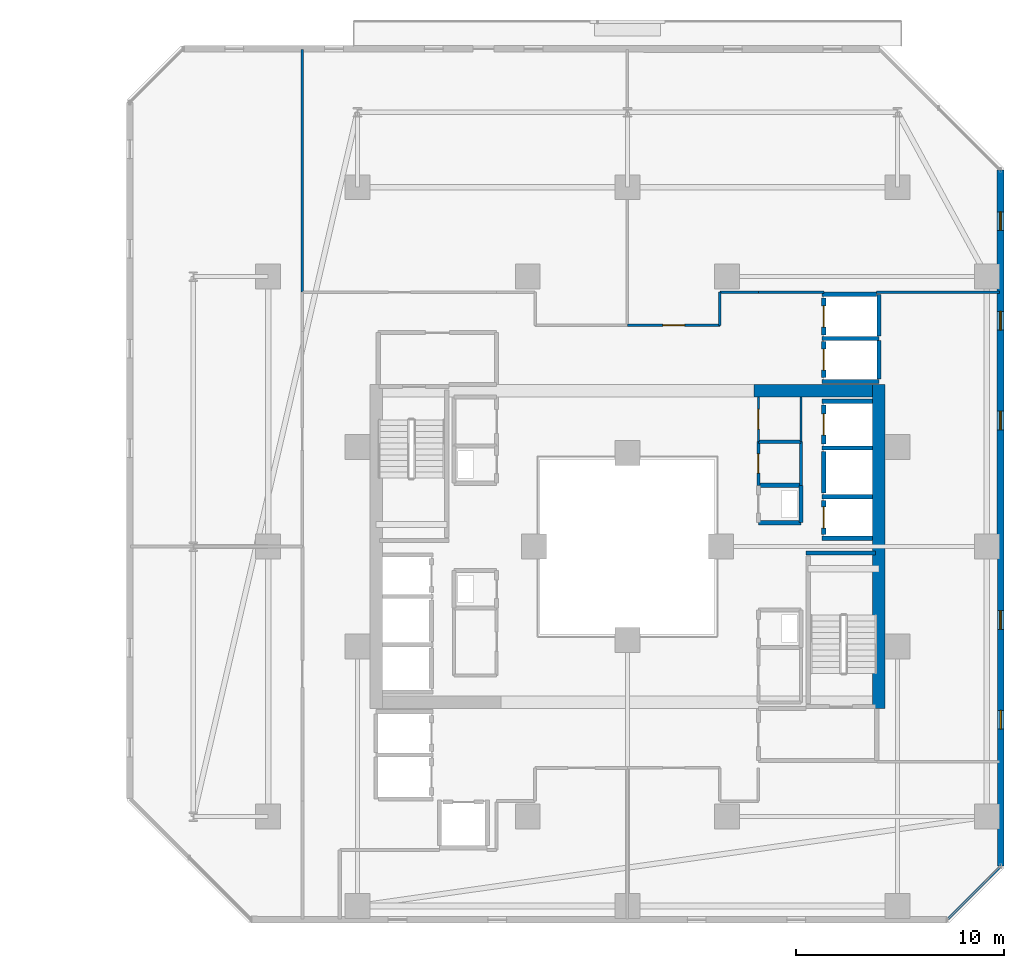
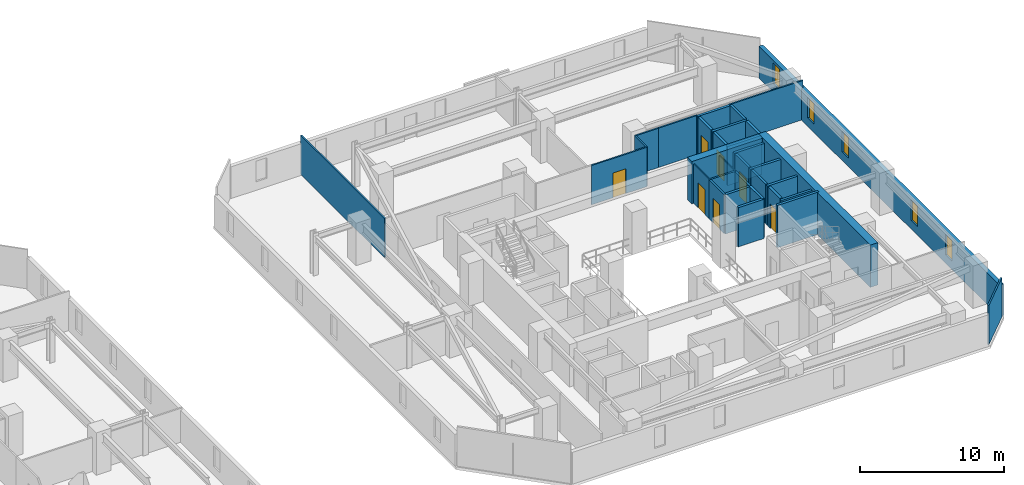
# One storey, part 22 of 30: 33 walls, 7 doors, 5 windows, 12 openings.
"""IFC4 building model written with IfcOpenShell, lengths in metres."""

from ifc_helpers import new_model, si_unit, direction, frame, frame_2d, origin, place, context, subcontext, project, spatial, rectangle, extrude, material, layer, layer_set, type_object, element, fill, save


model = new_model("IFC4")

# Units and contexts
model_context = context("Model", 3, precision=1e-05, world=origin(), true_north=direction((0.0, 1.0)))
body_context = subcontext(model_context, "Body", "Model", "MODEL_VIEW")
ifc_project = project(units=[si_unit("LENGTHUNIT", "METRE"), si_unit("AREAUNIT", "SQUARE_METRE"), si_unit("VOLUMEUNIT", "CUBIC_METRE"), si_unit("PLANEANGLEUNIT", "RADIAN"), si_unit("MASSUNIT", "GRAM", prefix="KILO")], contexts=[model_context])

# Site, building, storey
site_placement = place(None, origin())
site = spatial("IfcSite", under=ifc_project, at=site_placement, CompositionType="ELEMENT")
building_placement = place(site_placement, origin())
building = spatial("IfcBuilding", under=site, at=building_placement, Name="Thornwick Lancets Civic Towers", CompositionType="ELEMENT")
storey_placement = place(building_placement, frame((0.0, 0.0, 80.10009765625)))
storey = spatial("IfcBuildingStorey", under=building, at=storey_placement, Name="L20", CompositionType="ELEMENT", Elevation=80.10009765625)

# Wall, opening, door
ifc_material_1 = material(Name="Concrete blockwork C40/50", Category="masonry")
ifc_layer_1 = layer(ifc_material_1, 0.199951171875, Name="Concrete blockwork C40/50")
ifc_layer_set_1 = layer_set([ifc_layer_1], Name="Concrete blockwork C40/50")
wall_type_1 = type_object("IfcWallType", Name="WALL_COMP_200", PredefinedType="STANDARD", material=ifc_layer_set_1)
wall_1_placement = place(storey_placement, frame((97.949951171875, 29.219970703125, 0.0), z_axis=(0.0, 0.0, 1.0), x_axis=(0.0, -1.0, 0.0)))
wall_1 = element("IfcWall", 1, at=wall_1_placement, inside=storey, type_object=wall_type_1, Name="L20 Hoistway Front Wall FL-B1", PredefinedType="STANDARD", context=body_context, shape_type="SweptSolid", body=[
    extrude(rectangle(XDim=1.639892578125, YDim=0.199951171875, at=frame_2d((0.81982421875, 0.0))), origin(), (0.0, 0.0, 1.0), 3.33984375),
])
opening_1_placement = place(wall_1_placement, frame((0.31005859375, 0.0, 0.0)))
opening_1 = element("IfcOpeningElement", 2, at=opening_1_placement, cuts=wall_1, Name="Opening LD-FL-B1", PredefinedType="OPENING", context=body_context, shape_type="SweptSolid", body=[
    extrude(rectangle(XDim=1.02001953125, YDim=2.06005859375, at=frame_2d((0.510009765625, 1.030029296875))), frame((0.0, 0.10986328125, 0.0), z_axis=(0.0, -1.0, 0.0), x_axis=(1.0, 0.0, 0.0)), (0.0, 0.0, 1.0), 0.219970703125),
])
ifc_material_2 = material(Name="Brushed bronze stainless steel", Category="steel")
door_type_1 = type_object("IfcDoorType", Name="DOOR_LIFT_SLIDE", OperationType="SLIDING_TO_LEFT", PredefinedType="DOOR", material=ifc_material_2)
door_1_placement = place(opening_1_placement, origin())
door_1 = element("IfcDoor", 3, at=door_1_placement, inside=storey, type_object=door_type_1, Name="L20 Sliding Lift Landing Door LD-FL-B1", OperationType="SLIDING_TO_LEFT", OverallHeight=2.06005859375, OverallWidth=1.02001953125, PredefinedType="DOOR", context=body_context, shape_type="SweptSolid", body=[
    extrude(rectangle(XDim=1.02001953125, YDim=2.06005859375, at=frame_2d((0.510009765625, 1.030029296875))), frame((0.0, 0.02490234375, 0.0), z_axis=(0.0, -1.0, 0.0), x_axis=(1.0, 0.0, 0.0)), (0.0, 0.0, 1.0), 0.050048828125),
])
fill(opening_1, door_1)

# Wall
wall_2_placement = place(storey_placement, frame((97.949951171875, 31.570068359375, 0.0), z_axis=(0.0, 0.0, 1.0), x_axis=(0.0, -1.0, 0.0)))
element("IfcWall", 4, at=wall_2_placement, inside=storey, type_object=wall_type_1, Name="L20 Hoistway Front Wall PL-BH1", PredefinedType="STANDARD", context=body_context, shape_type="SweptSolid", body=[
    extrude(rectangle(XDim=1.989990234375, YDim=0.199951171875, at=frame_2d((0.9951171875, 0.0))), origin(), (0.0, 0.0, 1.0), 3.33984375),
])

# Wall, opening, door
wall_3_placement = place(storey_placement, frame((97.949951171875, 33.820068359375, 0.0), z_axis=(0.0, 0.0, 1.0), x_axis=(0.0, -1.0, 0.0)))
wall_3 = element("IfcWall", 5, at=wall_3_placement, inside=storey, type_object=wall_type_1, Name="L20 Hoistway Front Wall PL-BL1", PredefinedType="STANDARD", context=body_context, shape_type="SweptSolid", body=[
    extrude(rectangle(XDim=1.89013671875, YDim=0.199951171875, at=frame_2d((0.945068359375, 0.0))), origin(), (0.0, 0.0, 1.0), 3.33984375),
])
opening_2_placement = place(wall_3_placement, frame((0.43505859375, 0.0, 0.0)))
opening_2 = element("IfcOpeningElement", 6, at=opening_2_placement, cuts=wall_3, Name="Opening LD-PL-BL1", PredefinedType="OPENING", context=body_context, shape_type="SweptSolid", body=[
    extrude(rectangle(XDim=1.02001953125, YDim=2.06005859375, at=frame_2d((0.510009765625, 1.030029296875))), frame((0.0, 0.10986328125, 0.0), z_axis=(0.0, -1.0, 0.0), x_axis=(1.0, 0.0, 0.0)), (0.0, 0.0, 1.0), 0.219970703125),
])
door_2_placement = place(opening_2_placement, origin())
door_2 = element("IfcDoor", 7, at=door_2_placement, inside=storey, type_object=door_type_1, Name="L20 Sliding Lift Landing Door LD-PL-BL1", OperationType="SLIDING_TO_LEFT", OverallHeight=2.06005859375, OverallWidth=1.02001953125, PredefinedType="DOOR", context=body_context, shape_type="SweptSolid", body=[
    extrude(rectangle(XDim=1.02001953125, YDim=2.06005859375, at=frame_2d((0.510009765625, 1.030029296875))), frame((0.0, 0.02490234375, 0.0), z_axis=(0.0, -1.0, 0.0), x_axis=(1.0, 0.0, 0.0)), (0.0, 0.0, 1.0), 0.050048828125),
])
fill(opening_2, door_2)

wall_4_placement = place(storey_placement, frame((97.949951171875, 36.8701171875, 0.0), z_axis=(0.0, 0.0, 1.0), x_axis=(0.0, -1.0, 0.0)))
wall_4 = element("IfcWall", 8, at=wall_4_placement, inside=storey, type_object=wall_type_1, Name="L20 Hoistway Front Wall PL-BL2", PredefinedType="STANDARD", context=body_context, shape_type="SweptSolid", body=[
    extrude(rectangle(XDim=1.740234375, YDim=0.199951171875, at=frame_2d((0.8701171875, 0.0))), origin(), (0.0, 0.0, 1.0), 3.33984375),
])
opening_3_placement = place(wall_4_placement, frame((0.360107421875, 0.0, 0.0)))
opening_3 = element("IfcOpeningElement", 9, at=opening_3_placement, cuts=wall_4, Name="Opening LD-PL-BL2", PredefinedType="OPENING", context=body_context, shape_type="SweptSolid", body=[
    extrude(rectangle(XDim=1.02001953125, YDim=2.06005859375, at=frame_2d((0.510009765625, 1.030029296875))), frame((0.0, 0.10986328125, 0.0), z_axis=(0.0, -1.0, 0.0), x_axis=(1.0, 0.0, 0.0)), (0.0, 0.0, 1.0), 0.219970703125),
])
door_3_placement = place(opening_3_placement, origin())
door_3 = element("IfcDoor", 10, at=door_3_placement, inside=storey, type_object=door_type_1, Name="L20 Sliding Lift Landing Door LD-PL-BL2", OperationType="SLIDING_TO_LEFT", OverallHeight=2.06005859375, OverallWidth=1.02001953125, PredefinedType="DOOR", context=body_context, shape_type="SweptSolid", body=[
    extrude(rectangle(XDim=1.02001953125, YDim=2.06005859375, at=frame_2d((0.510009765625, 1.030029296875))), frame((0.0, 0.02490234375, 0.0), z_axis=(0.0, -1.0, 0.0), x_axis=(1.0, 0.0, 0.0)), (0.0, 0.0, 1.0), 0.050048828125),
])
fill(opening_3, door_3)

wall_5_placement = place(storey_placement, frame((97.949951171875, 38.969970703125, 0.0), z_axis=(0.0, 0.0, 1.0), x_axis=(0.0, -1.0, 0.0)))
wall_5 = element("IfcWall", 11, at=wall_5_placement, inside=storey, type_object=wall_type_1, Name="L20 Hoistway Front Wall PL-BL3", PredefinedType="STANDARD", context=body_context, shape_type="SweptSolid", body=[
    extrude(rectangle(XDim=1.7900390625, YDim=0.199951171875, at=frame_2d((0.89501953125, 0.0))), origin(), (0.0, 0.0, 1.0), 3.33984375),
])
opening_4_placement = place(wall_5_placement, frame((0.385009765625, 0.0, 0.0)))
opening_4 = element("IfcOpeningElement", 12, at=opening_4_placement, cuts=wall_5, Name="Opening LD-PL-BL3", PredefinedType="OPENING", context=body_context, shape_type="SweptSolid", body=[
    extrude(rectangle(XDim=1.02001953125, YDim=2.06005859375, at=frame_2d((0.510009765625, 1.030029296875))), frame((0.0, 0.10986328125, 0.0), z_axis=(0.0, -1.0, 0.0), x_axis=(1.0, 0.0, 0.0)), (0.0, 0.0, 1.0), 0.219970703125),
])
door_4_placement = place(opening_4_placement, origin())
door_4 = element("IfcDoor", 13, at=door_4_placement, inside=storey, type_object=door_type_1, Name="L20 Sliding Lift Landing Door LD-PL-BL3", OperationType="SLIDING_TO_LEFT", OverallHeight=2.06005859375, OverallWidth=1.02001953125, PredefinedType="DOOR", context=body_context, shape_type="SweptSolid", body=[
    extrude(rectangle(XDim=1.02001953125, YDim=2.06005859375, at=frame_2d((0.510009765625, 1.030029296875))), frame((0.0, 0.02490234375, 0.0), z_axis=(0.0, -1.0, 0.0), x_axis=(1.0, 0.0, 0.0)), (0.0, 0.0, 1.0), 0.050048828125),
])
fill(opening_4, door_4)

# Walls
for number, where, z_axis, x_axis, name in (
    (14, (97.85205078125, 29.39990234375, 0.0), (0.0, 0.0, 1.0), (1.0, 0.0, 0.0), "L20 Hoistway Shaft Wall FL-B1 N"),
    (15, (97.85205078125, 27.39990234375, 0.0), (0.0, 0.0, 1.0), (1.0, 0.0, 0.0), "L20 Hoistway Shaft Wall FL-B1 S"),
    (16, (97.85205078125, 31.75, 0.0), (0.0, 0.0, 1.0), (1.0, 0.0, 0.0), "L20 Hoistway Shaft Wall PL-BH1 N"),
    (17, (97.85205078125, 34.0, 0.0), (0.0, 0.0, 1.0), (1.0, 0.0, 0.0), "L20 Hoistway Shaft Wall PL-BL1 N"),
):
    element("IfcWall", number, at=place(storey_placement, frame(where, z_axis=z_axis, x_axis=x_axis)), inside=storey, type_object=wall_type_1, Name=name, PredefinedType="STANDARD", context=body_context, shape_type="SweptSolid", body=[
        extrude(rectangle(XDim=2.43603515625, YDim=0.199951171875, at=frame_2d((1.218017578125, 0.0))), origin(), (0.0, 0.0, 1.0), 3.33984375),
    ])
for number, where, z_axis, x_axis, name in (
    (18, (97.85205078125, 37.02490234375, 0.0), (0.0, 0.0, 1.0), (1.0, 0.0, 0.0), "L20 Hoistway Shaft Wall PL-BL2 N"),
    (19, (97.85205078125, 34.949951171875, 0.0), (0.0, 0.0, 1.0), (1.0, 0.0, 0.0), "L20 Hoistway Shaft Wall PL-BL2 S"),
):
    element("IfcWall", number, at=place(storey_placement, frame(where, z_axis=z_axis, x_axis=x_axis)), inside=storey, type_object=wall_type_1, Name=name, PredefinedType="STANDARD", context=body_context, shape_type="SweptSolid", body=[
        extrude(rectangle(XDim=2.745849609375, YDim=0.199951171875, at=frame_2d((1.373046875, 0.0))), origin(), (0.0, 0.0, 1.0), 3.33984375),
    ])
wall_6_placement = place(storey_placement, frame((100.60009765625, 35.06201171875, 0.0), z_axis=(0.0, 0.0, 1.0), x_axis=(0.0, 1.0, 0.0)))
element("IfcWall", 20, at=wall_6_placement, inside=storey, type_object=wall_type_1, Name="L20 Hoistway Shaft Wall PL-BL2 E", PredefinedType="STANDARD", context=body_context, shape_type="SweptSolid", body=[
    extrude(rectangle(XDim=1.85595703125, YDim=0.199951171875, at=frame_2d((0.927978515625, 0.0))), origin(), (0.0, 0.0, 1.0), 3.33984375),
])
wall_7_placement = place(storey_placement, frame((100.60009765625, 37.132080078125, 0.0), z_axis=(0.0, 0.0, 1.0), x_axis=(0.0, 1.0, 0.0)))
element("IfcWall", 21, at=wall_7_placement, inside=storey, type_object=wall_type_1, Name="L20 Hoistway Shaft Wall PL-BL2 E", PredefinedType="STANDARD", context=body_context, shape_type="SweptSolid", body=[
    extrude(rectangle(XDim=2.015869140625, YDim=0.199951171875, at=frame_2d((1.0078125, 0.0))), origin(), (0.0, 0.0, 1.0), 3.33984375),
])
wall_8_placement = place(storey_placement, frame((97.85205078125, 39.14990234375, 0.0), z_axis=(0.0, 0.0, 1.0), x_axis=(1.0, 0.0, 0.0)))
element("IfcWall", 22, at=wall_8_placement, inside=storey, type_object=wall_type_1, Name="L20 Hoistway Shaft Wall PL-BL3 N", PredefinedType="STANDARD", context=body_context, shape_type="SweptSolid", body=[
    extrude(rectangle(XDim=2.635986328125, YDim=0.199951171875, at=frame_2d((1.31787109375, 0.0))), origin(), (0.0, 0.0, 1.0), 3.33984375),
])
wall_9_placement = place(storey_placement, frame((94.800048828125, 28.14990234375, 0.0), z_axis=(0.0, 0.0, 1.0), x_axis=(1.0, 0.0, 0.0)))
element("IfcWall", 23, at=wall_9_placement, inside=storey, type_object=wall_type_1, Name="L20 Partition L20-B-DUCT1 E1", PredefinedType="STANDARD", context=body_context, shape_type="SweptSolid", body=[
    extrude(rectangle(XDim=2.050048828125, YDim=0.199951171875, at=frame_2d((1.02490234375, 0.0))), origin(), (0.0, 0.0, 1.0), 3.33984375),
])
wall_10_placement = place(storey_placement, frame((96.85009765625, 28.14990234375, 0.0), z_axis=(0.0, 0.0, 1.0), x_axis=(0.0, 1.0, 0.0)))
element("IfcWall", 24, at=wall_10_placement, inside=storey, type_object=wall_type_1, Name="L20 Partition L20-B-DUCT1 E2", PredefinedType="STANDARD", context=body_context, shape_type="SweptSolid", body=[
    extrude(rectangle(XDim=1.800048828125, YDim=0.199951171875, at=frame_2d((0.89990234375, 0.0))), origin(), (0.0, 0.0, 1.0), 3.33984375),
])
wall_11_placement = place(storey_placement, frame((96.85009765625, 29.949951171875, 0.0), z_axis=(0.0, 0.0, 1.0), x_axis=(-1.0, 0.0, 0.0)))
element("IfcWall", 25, at=wall_11_placement, inside=storey, type_object=wall_type_1, Name="L20 Partition L20-B-DUCT1 E3", PredefinedType="STANDARD", context=body_context, shape_type="SweptSolid", body=[
    extrude(rectangle(XDim=2.050048828125, YDim=0.199951171875, at=frame_2d((1.02490234375, 0.0))), origin(), (0.0, 0.0, 1.0), 3.33984375),
])
ifc_material_3 = material(Name="Concrete C60/75", Category="concrete")
ifc_layer_2 = layer(ifc_material_3, 0.60009765625, Name="Concrete C60/75")
ifc_layer_set_2 = layer_set([ifc_layer_2], Name="Concrete C60/75")
wall_type_2 = type_object("IfcWallType", Name="WALL_CORE_600", PredefinedType="SHEAR", material=ifc_layer_set_2)
wall_12_placement = place(storey_placement, frame((100.60009765625, 19.199951171875, 0.0), z_axis=(0.0, 0.0, 1.0), x_axis=(0.0, 1.0, 0.0)))
element("IfcWall", 26, at=wall_12_placement, inside=storey, type_object=wall_type_2, Name="L20 Split Core B1 Shear Wall E", PredefinedType="SHEAR", context=body_context, shape_type="SweptSolid", body=[
    extrude(rectangle(XDim=15.60009765625, YDim=0.60009765625, at=frame_2d((7.800048828125, 0.0))), origin(), (0.0, 0.0, 1.0), 3.599853515625),
])
wall_13_placement = place(storey_placement, frame((94.60009765625, 34.5, 0.0), z_axis=(0.0, 0.0, 1.0), x_axis=(1.0, 0.0, 0.0)))
element("IfcWall", 27, at=wall_13_placement, inside=storey, type_object=wall_type_2, Name="L20 Split Core B1 Shear Wall N", PredefinedType="SHEAR", context=body_context, shape_type="SweptSolid", body=[
    extrude(rectangle(XDim=5.699951171875, YDim=0.60009765625, at=frame_2d((2.85009765625, 0.0))), origin(), (0.0, 0.0, 1.0), 3.599853515625),
])

# Wall, openings, windows
ifc_material_4 = material(Name="Insulated buff terracotta rainscreen on concrete C40/50", Category="masonry")
ifc_layer_3 = layer(ifc_material_4, 0.320068359375, Name="Insulated buff terracotta rainscreen on concrete C40/50")
ifc_layer_set_3 = layer_set([ifc_layer_3], Name="Insulated buff terracotta rainscreen on concrete C40/50")
wall_type_3 = type_object("IfcWallType", Name="WALL_EXT_TERRA_320", PredefinedType="STANDARD", material=ifc_layer_set_3)
wall_14_placement = place(storey_placement, frame((106.464599609375, 11.61865234375, 0.0), z_axis=(0.0, 0.0, 1.0), x_axis=(-0.000313347115, 0.999999950907, 0.0)))
wall_14 = element("IfcWall", 28, at=wall_14_placement, inside=storey, type_object=wall_type_3, Name="L20 Tower B Terracotta Facade Wall E2", PredefinedType="STANDARD", context=body_context, shape_type="SweptSolid", body=[
    extrude(rectangle(XDim=33.5029296875, YDim=0.320068359375, at=frame_2d((16.75146484375, 0.0))), origin(), (0.0, 0.0, 1.0), 2.699951171875),
])
opening_5_placement = place(wall_14_placement, frame((6.60009765625, 0.0, 0.719970703125)))
opening_5 = element("IfcOpeningElement", 29, at=opening_5_placement, cuts=wall_14, Name="Opening WL-01", PredefinedType="OPENING", context=body_context, shape_type="SweptSolid", body=[
    extrude(rectangle(XDim=0.89990234375, YDim=1.75, at=frame_2d((0.449951171875, 0.875))), frame((0.0, 0.169921875, 0.0), z_axis=(0.0, -1.0, 0.0), x_axis=(1.0, 0.0, 0.0)), (0.0, 0.0, 1.0), 0.340087890625),
])
opening_6_placement = place(wall_14_placement, frame((11.39990234375, 0.0, 0.719970703125)))
opening_6 = element("IfcOpeningElement", 30, at=opening_6_placement, cuts=wall_14, Name="Opening WL-01", PredefinedType="OPENING", context=body_context, shape_type="SweptSolid", body=[
    extrude(rectangle(XDim=0.89990234375, YDim=1.75, at=frame_2d((0.449951171875, 0.875))), frame((0.0, 0.169921875, 0.0), z_axis=(0.0, -1.0, 0.0), x_axis=(1.0, 0.0, 0.0)), (0.0, 0.0, 1.0), 0.340087890625),
])
opening_7_placement = place(wall_14_placement, frame((21.0, 0.0, 0.719970703125)))
opening_7 = element("IfcOpeningElement", 31, at=opening_7_placement, cuts=wall_14, Name="Opening WL-01", PredefinedType="OPENING", context=body_context, shape_type="SweptSolid", body=[
    extrude(rectangle(XDim=0.89990234375, YDim=1.75, at=frame_2d((0.449951171875, 0.875))), frame((0.0, 0.169921875, 0.0), z_axis=(0.0, -1.0, 0.0), x_axis=(1.0, 0.0, 0.0)), (0.0, 0.0, 1.0), 0.340087890625),
])
opening_8_placement = place(wall_14_placement, frame((25.800048828125, 0.0, 0.719970703125)))
opening_8 = element("IfcOpeningElement", 32, at=opening_8_placement, cuts=wall_14, Name="Opening WL-01", PredefinedType="OPENING", context=body_context, shape_type="SweptSolid", body=[
    extrude(rectangle(XDim=0.89990234375, YDim=1.75, at=frame_2d((0.449951171875, 0.875))), frame((0.0, 0.169921875, 0.0), z_axis=(0.0, -1.0, 0.0), x_axis=(1.0, 0.0, 0.0)), (0.0, 0.0, 1.0), 0.340087890625),
])
opening_9_placement = place(wall_14_placement, frame((30.60009765625, 0.0, 0.719970703125)))
opening_9 = element("IfcOpeningElement", 33, at=opening_9_placement, cuts=wall_14, Name="Opening WL-01", PredefinedType="OPENING", context=body_context, shape_type="SweptSolid", body=[
    extrude(rectangle(XDim=0.89990234375, YDim=1.75, at=frame_2d((0.449951171875, 0.875))), frame((0.0, 0.169921875, 0.0), z_axis=(0.0, -1.0, 0.0), x_axis=(1.0, 0.0, 0.0)), (0.0, 0.0, 1.0), 0.340087890625),
])
ifc_material_5 = material(Name="Clear low-e double glazing in bronze frame", Category="glass")
window_type = type_object("IfcWindowType", Name="WIN_LANCET_900", PartitioningType="SINGLE_PANEL", PredefinedType="WINDOW", material=ifc_material_5)
window_1_placement = place(opening_5_placement, origin())
window_1 = element("IfcWindow", 34, at=window_1_placement, inside=storey, type_object=window_type, Name="L20 Tower B Staggered Lancet Window E2-1", OverallHeight=1.75, OverallWidth=0.89990234375, PartitioningType="SINGLE_PANEL", PredefinedType="WINDOW", context=body_context, shape_type="SweptSolid", body=[
    extrude(rectangle(XDim=0.89990234375, YDim=1.75, at=frame_2d((0.449951171875, 0.875))), frame((0.0, 0.030029296875, 0.0), z_axis=(0.0, -1.0, 0.0), x_axis=(1.0, 0.0, 0.0)), (0.0, 0.0, 1.0), 0.06005859375),
])
fill(opening_5, window_1)
window_2_placement = place(opening_6_placement, origin())
window_2 = element("IfcWindow", 35, at=window_2_placement, inside=storey, type_object=window_type, Name="L20 Tower B Staggered Lancet Window E2-2", OverallHeight=1.75, OverallWidth=0.89990234375, PartitioningType="SINGLE_PANEL", PredefinedType="WINDOW", context=body_context, shape_type="SweptSolid", body=[
    extrude(rectangle(XDim=0.89990234375, YDim=1.75, at=frame_2d((0.449951171875, 0.875))), frame((0.0, 0.030029296875, 0.0), z_axis=(0.0, -1.0, 0.0), x_axis=(1.0, 0.0, 0.0)), (0.0, 0.0, 1.0), 0.06005859375),
])
fill(opening_6, window_2)
window_3_placement = place(opening_7_placement, origin())
window_3 = element("IfcWindow", 36, at=window_3_placement, inside=storey, type_object=window_type, Name="L20 Tower B Staggered Lancet Window E2-3", OverallHeight=1.75, OverallWidth=0.89990234375, PartitioningType="SINGLE_PANEL", PredefinedType="WINDOW", context=body_context, shape_type="SweptSolid", body=[
    extrude(rectangle(XDim=0.89990234375, YDim=1.75, at=frame_2d((0.449951171875, 0.875))), frame((0.0, 0.030029296875, 0.0), z_axis=(0.0, -1.0, 0.0), x_axis=(1.0, 0.0, 0.0)), (0.0, 0.0, 1.0), 0.06005859375),
])
fill(opening_7, window_3)
window_4_placement = place(opening_8_placement, origin())
window_4 = element("IfcWindow", 37, at=window_4_placement, inside=storey, type_object=window_type, Name="L20 Tower B Staggered Lancet Window E2-4", OverallHeight=1.75, OverallWidth=0.89990234375, PartitioningType="SINGLE_PANEL", PredefinedType="WINDOW", context=body_context, shape_type="SweptSolid", body=[
    extrude(rectangle(XDim=0.89990234375, YDim=1.75, at=frame_2d((0.449951171875, 0.875))), frame((0.0, 0.030029296875, 0.0), z_axis=(0.0, -1.0, 0.0), x_axis=(1.0, 0.0, 0.0)), (0.0, 0.0, 1.0), 0.06005859375),
])
fill(opening_8, window_4)
window_5_placement = place(opening_9_placement, origin())
window_5 = element("IfcWindow", 38, at=window_5_placement, inside=storey, type_object=window_type, Name="L20 Tower B Staggered Lancet Window E2-5", OverallHeight=1.75, OverallWidth=0.89990234375, PartitioningType="SINGLE_PANEL", PredefinedType="WINDOW", context=body_context, shape_type="SweptSolid", body=[
    extrude(rectangle(XDim=0.89990234375, YDim=1.75, at=frame_2d((0.449951171875, 0.875))), frame((0.0, 0.030029296875, 0.0), z_axis=(0.0, -1.0, 0.0), x_axis=(1.0, 0.0, 0.0)), (0.0, 0.0, 1.0), 0.06005859375),
])
fill(opening_9, window_5)

# Wall, opening, door
ifc_material_6 = material(Name="Lightweight cellular office partition")
ifc_layer_4 = layer(ifc_material_6, 0.10009765625, Name="Lightweight cellular office partition")
ifc_layer_set_4 = layer_set([ifc_layer_4], Name="Lightweight cellular office partition")
wall_type_4 = type_object("IfcWallType", Name="WALL_PART_100", PredefinedType="PARTITIONING", material=ifc_layer_set_4)
wall_15_placement = place(storey_placement, frame((94.800048828125, 32.050048828125, 0.0), z_axis=(0.0, 0.0, 1.0), x_axis=(0.0, 1.0, 0.0)))
wall_15 = element("IfcWall", 39, at=wall_15_placement, inside=storey, type_object=wall_type_4, Name="L20 Partition L20-B-CLN E1", PredefinedType="PARTITIONING", context=body_context, shape_type="SweptSolid", body=[
    extrude(rectangle(XDim=2.14990234375, YDim=0.10009765625, at=frame_2d((1.074951171875, 0.0))), origin(), (0.0, 0.0, 1.0), 3.33984375),
])
opening_10_placement = place(wall_15_placement, frame((0.60009765625, 0.0, 0.0)))
opening_10 = element("IfcOpeningElement", 40, at=opening_10_placement, cuts=wall_15, Name="Opening D-L20-0950", PredefinedType="OPENING", context=body_context, shape_type="SweptSolid", body=[
    extrude(rectangle(XDim=0.949951171875, YDim=2.10009765625, at=frame_2d((0.47509765625, 1.050048828125))), frame((0.0, 0.06005859375, 0.0), z_axis=(0.0, -1.0, 0.0), x_axis=(1.0, 0.0, 0.0)), (0.0, 0.0, 1.0), 0.1201171875),
])
ifc_material_7 = material(Name="European oak acoustic doorset")
door_type_2 = type_object("IfcDoorType", Name="DOOR_OFFICE_950", OperationType="NOTDEFINED", PredefinedType="DOOR", material=ifc_material_7)
door_5_placement = place(opening_10_placement, origin())
door_5 = element("IfcDoor", 41, at=door_5_placement, inside=storey, type_object=door_type_2, Name="L20 Tower B Cleaners Store Door", OperationType="SINGLE_SWING_LEFT", OverallHeight=2.10009765625, OverallWidth=0.949951171875, PredefinedType="DOOR", context=body_context, shape_type="SweptSolid", body=[
    extrude(rectangle(XDim=0.949951171875, YDim=2.10009765625, at=frame_2d((0.47509765625, 1.050048828125))), frame((0.0, 0.02490234375, 0.0), z_axis=(0.0, -1.0, 0.0), x_axis=(1.0, 0.0, 0.0)), (0.0, 0.0, 1.0), 0.050048828125),
])
fill(opening_10, door_5)

# Walls
wall_16_placement = place(storey_placement, frame((96.85009765625, 34.199951171875, 0.0), z_axis=(0.0, 0.0, 1.0), x_axis=(0.0, -1.0, 0.0)))
element("IfcWall", 42, at=wall_16_placement, inside=storey, type_object=wall_type_4, Name="L20 Partition L20-B-CLN E3", PredefinedType="PARTITIONING", context=body_context, shape_type="SweptSolid", body=[
    extrude(rectangle(XDim=2.14990234375, YDim=0.10009765625, at=frame_2d((1.074951171875, 0.0))), origin(), (0.0, 0.0, 1.0), 3.33984375),
])
ifc_material_8 = material(Name="Acoustic gypsum board partition")
ifc_layer_5 = layer(ifc_material_8, 0.1201171875, Name="Acoustic gypsum board partition")
ifc_layer_set_5 = layer_set([ifc_layer_5], Name="Acoustic gypsum board partition")
wall_type_5 = type_object("IfcWallType", Name="WALL_PART_120", PredefinedType="PARTITIONING", material=ifc_layer_set_5)
wall_17_placement = place(storey_placement, frame((106.419921875, 11.57470703125, 0.0), z_axis=(0.0, 0.0, 1.0), x_axis=(-0.707106781187, -0.707106781187, 0.0)))
element("IfcWall", 43, at=wall_17_placement, inside=storey, type_object=wall_type_5, Name="L20 Partition L20-B-W1 E7", PredefinedType="PARTITIONING", context=body_context, shape_type="SweptSolid", body=[
    extrude(rectangle(XDim=3.52783203125, YDim=0.1201171875, at=frame_2d((1.763916015625, 0.0))), origin(), (0.0, 0.0, 1.0), 3.33984375),
])
wall_18_placement = place(storey_placement, frame((106.419921875, 39.25, 0.0), z_axis=(0.0, 0.0, 1.0), x_axis=(-1.0, 0.0, 0.0)))
element("IfcWall", 44, at=wall_18_placement, inside=storey, type_object=wall_type_5, Name="L20 Partition L20-B-E1 E2", PredefinedType="PARTITIONING", context=body_context, shape_type="SweptSolid", body=[
    extrude(rectangle(XDim=5.931884765625, YDim=0.1201171875, at=frame_2d((2.9658203125, 0.0))), origin(), (0.0, 0.0, 1.0), 3.33984375),
])
wall_19_placement = place(storey_placement, frame((97.949951171875, 39.25, 0.0), z_axis=(0.0, 0.0, 1.0), x_axis=(-1.0, 0.0, 0.0)))
element("IfcWall", 45, at=wall_19_placement, inside=storey, type_object=wall_type_5, Name="L20 Partition L20-B-E1 E3", PredefinedType="PARTITIONING", context=body_context, shape_type="SweptSolid", body=[
    extrude(rectangle(XDim=3.14990234375, YDim=0.1201171875, at=frame_2d((1.574951171875, 0.0))), origin(), (0.0, 0.0, 1.0), 3.33984375),
])
wall_20_placement = place(storey_placement, frame((94.800048828125, 39.25, 0.0), z_axis=(0.0, 0.0, 1.0), x_axis=(-1.0, 0.0, 0.0)))
element("IfcWall", 46, at=wall_20_placement, inside=storey, type_object=wall_type_5, Name="L20 Partition L20-B-E1 E4", PredefinedType="PARTITIONING", context=body_context, shape_type="SweptSolid", body=[
    extrude(rectangle(XDim=1.85009765625, YDim=0.1201171875, at=frame_2d((0.925048828125, 0.0))), origin(), (0.0, 0.0, 1.0), 3.33984375),
])
wall_21_placement = place(storey_placement, frame((92.949951171875, 39.25, 0.0), z_axis=(0.0, 0.0, 1.0), x_axis=(0.0, -1.0, 0.0)))
element("IfcWall", 47, at=wall_21_placement, inside=storey, type_object=wall_type_5, Name="L20 Partition L20-B-E1 E5", PredefinedType="PARTITIONING", context=body_context, shape_type="SweptSolid", body=[
    extrude(rectangle(XDim=1.60009765625, YDim=0.1201171875, at=frame_2d((0.800048828125, 0.0))), origin(), (0.0, 0.0, 1.0), 3.33984375),
])

# Wall, opening, door
wall_22_placement = place(storey_placement, frame((92.949951171875, 37.64990234375, 0.0), z_axis=(0.0, 0.0, 1.0), x_axis=(-1.0, 0.0, 0.0)))
wall_22 = element("IfcWall", 48, at=wall_22_placement, inside=storey, type_object=wall_type_5, Name="L20 Partition L20-B-E1 E6", PredefinedType="PARTITIONING", context=body_context, shape_type="SweptSolid", body=[
    extrude(rectangle(XDim=4.449951171875, YDim=0.1201171875, at=frame_2d((2.22509765625, 0.0))), origin(), (0.0, 0.0, 1.0), 3.33984375),
])
opening_11_placement = place(wall_22_placement, frame((1.699951171875, 0.0, 0.0)))
opening_11 = element("IfcOpeningElement", 49, at=opening_11_placement, cuts=wall_22, Name="Opening D-L20-0961", PredefinedType="OPENING", context=body_context, shape_type="SweptSolid", body=[
    extrude(rectangle(XDim=1.050048828125, YDim=2.10009765625, at=frame_2d((0.52490234375, 1.050048828125))), frame((0.0, 0.070068359375, 0.0), z_axis=(0.0, -1.0, 0.0), x_axis=(1.0, 0.0, 0.0)), (0.0, 0.0, 1.0), 0.14013671875),
])
ifc_material_9 = material(Name="Glazed European oak executive doorset")
door_type_3 = type_object("IfcDoorType", Name="DOOR_OFFICE_1050", OperationType="NOTDEFINED", PredefinedType="DOOR", material=ifc_material_9)
door_6_placement = place(opening_11_placement, origin())
door_6 = element("IfcDoor", 50, at=door_6_placement, inside=storey, type_object=door_type_3, Name="L20 Tower B Secretariat Open Office E1 Door", OperationType="SINGLE_SWING_RIGHT", OverallHeight=2.10009765625, OverallWidth=1.050048828125, PredefinedType="DOOR", context=body_context, shape_type="SweptSolid", body=[
    extrude(rectangle(XDim=1.050048828125, YDim=2.10009765625, at=frame_2d((0.52490234375, 1.050048828125))), frame((0.0, 0.02490234375, 0.0), z_axis=(0.0, -1.0, 0.0), x_axis=(1.0, 0.0, 0.0)), (0.0, 0.0, 1.0), 0.050048828125),
])
fill(opening_11, door_6)

# Wall
wall_23_placement = place(storey_placement, frame((72.85009765625, 39.25, 0.0), z_axis=(0.0, 0.0, 1.0), x_axis=(0.0, 1.0, 0.0)))
element("IfcWall", 51, at=wall_23_placement, inside=storey, type_object=wall_type_5, Name="L20 Partition L20-B-E2 E4", PredefinedType="PARTITIONING", context=body_context, shape_type="SweptSolid", body=[
    extrude(rectangle(XDim=11.669921875, YDim=0.1201171875, at=frame_2d((5.8349609375, 0.0))), origin(), (0.0, 0.0, 1.0), 3.33984375),
])

# Wall, opening, door
ifc_material_10 = material(Name="Twin-stud acoustic gypsum board")
ifc_layer_6 = layer(ifc_material_10, 0.14990234375, Name="Twin-stud acoustic gypsum board")
ifc_layer_set_6 = layer_set([ifc_layer_6], Name="Twin-stud acoustic gypsum board")
wall_type_6 = type_object("IfcWallType", Name="WALL_PART_150", PredefinedType="PARTITIONING", material=ifc_layer_set_6)
wall_24_placement = place(storey_placement, frame((94.800048828125, 29.949951171875, 0.0), z_axis=(0.0, 0.0, 1.0), x_axis=(0.0, 1.0, 0.0)))
wall_24 = element("IfcWall", 52, at=wall_24_placement, inside=storey, type_object=wall_type_6, Name="L20 Partition L20-B-MWC E1", PredefinedType="PARTITIONING", context=body_context, shape_type="SweptSolid", body=[
    extrude(rectangle(XDim=2.10009765625, YDim=0.14990234375, at=frame_2d((1.050048828125, 0.0))), origin(), (0.0, 0.0, 1.0), 3.33984375),
])
opening_12_placement = place(wall_24_placement, frame((0.590087890625, 0.0, 0.0)))
opening_12 = element("IfcOpeningElement", 53, at=opening_12_placement, cuts=wall_24, Name="Opening D-L20-0949", PredefinedType="OPENING", context=body_context, shape_type="SweptSolid", body=[
    extrude(rectangle(XDim=0.919921875, YDim=2.080078125, at=frame_2d((0.4599609375, 1.0400390625))), frame((0.0, 0.0849609375, 0.0), z_axis=(0.0, -1.0, 0.0), x_axis=(1.0, 0.0, 0.0)), (0.0, 0.0, 1.0), 0.169921875),
])
ifc_material_11 = material(Name="Moisture-resistant oak doorset")
door_type_4 = type_object("IfcDoorType", Name="DOOR_WC_900", OperationType="NOTDEFINED", PredefinedType="DOOR", material=ifc_material_11)
door_7_placement = place(opening_12_placement, origin())
door_7 = element("IfcDoor", 54, at=door_7_placement, inside=storey, type_object=door_type_4, Name="L20 Tower B Male WC Door", OperationType="SINGLE_SWING_RIGHT", OverallHeight=2.080078125, OverallWidth=0.919921875, PredefinedType="DOOR", context=body_context, shape_type="SweptSolid", body=[
    extrude(rectangle(XDim=0.919921875, YDim=2.080078125, at=frame_2d((0.4599609375, 1.0400390625))), frame((0.0, 0.02490234375, 0.0), z_axis=(0.0, -1.0, 0.0), x_axis=(1.0, 0.0, 0.0)), (0.0, 0.0, 1.0), 0.050048828125),
])
fill(opening_12, door_7)

# Walls
wall_25_placement = place(storey_placement, frame((94.800048828125, 32.050048828125, 0.0), z_axis=(0.0, 0.0, 1.0), x_axis=(1.0, 0.0, 0.0)))
element("IfcWall", 55, at=wall_25_placement, inside=storey, type_object=wall_type_6, Name="L20 Partition L20-B-MWC E2", PredefinedType="PARTITIONING", context=body_context, shape_type="SweptSolid", body=[
    extrude(rectangle(XDim=2.050048828125, YDim=0.14990234375, at=frame_2d((1.02490234375, 0.0))), origin(), (0.0, 0.0, 1.0), 3.33984375),
])
wall_26_placement = place(storey_placement, frame((96.85009765625, 32.050048828125, 0.0), z_axis=(0.0, 0.0, 1.0), x_axis=(0.0, -1.0, 0.0)))
element("IfcWall", 56, at=wall_26_placement, inside=storey, type_object=wall_type_6, Name="L20 Partition L20-B-MWC E3", PredefinedType="PARTITIONING", context=body_context, shape_type="SweptSolid", body=[
    extrude(rectangle(XDim=2.10009765625, YDim=0.14990234375, at=frame_2d((1.050048828125, 0.0))), origin(), (0.0, 0.0, 1.0), 3.33984375),
])
ifc_material_12 = material(Name="Concrete C40/50", Category="concrete")
ifc_layer_7 = layer(ifc_material_12, 0.199951171875, Name="Concrete C40/50")
ifc_layer_set_7 = layer_set([ifc_layer_7], Name="Concrete C40/50")
wall_type_7 = type_object("IfcWallType", Name="WALL_SHAFT_200", PredefinedType="SHEAR", material=ifc_layer_set_7)
wall_27_placement = place(storey_placement, frame((97.10009765625, 26.699951171875, 0.0), z_axis=(0.0, 0.0, 1.0), x_axis=(1.0, 0.0, 0.0)))
element("IfcWall", 57, at=wall_27_placement, inside=storey, type_object=wall_type_7, Name="L20 ST-B1 Fire Stair Core Wall FAR", PredefinedType="SHEAR", context=body_context, shape_type="SweptSolid", body=[
    extrude(rectangle(XDim=3.349853515625, YDim=0.199951171875, at=frame_2d((1.6748046875, 0.0))), origin(), (0.0, 0.0, 1.0), 3.599853515625),
])

save(model, "model.ifc")
